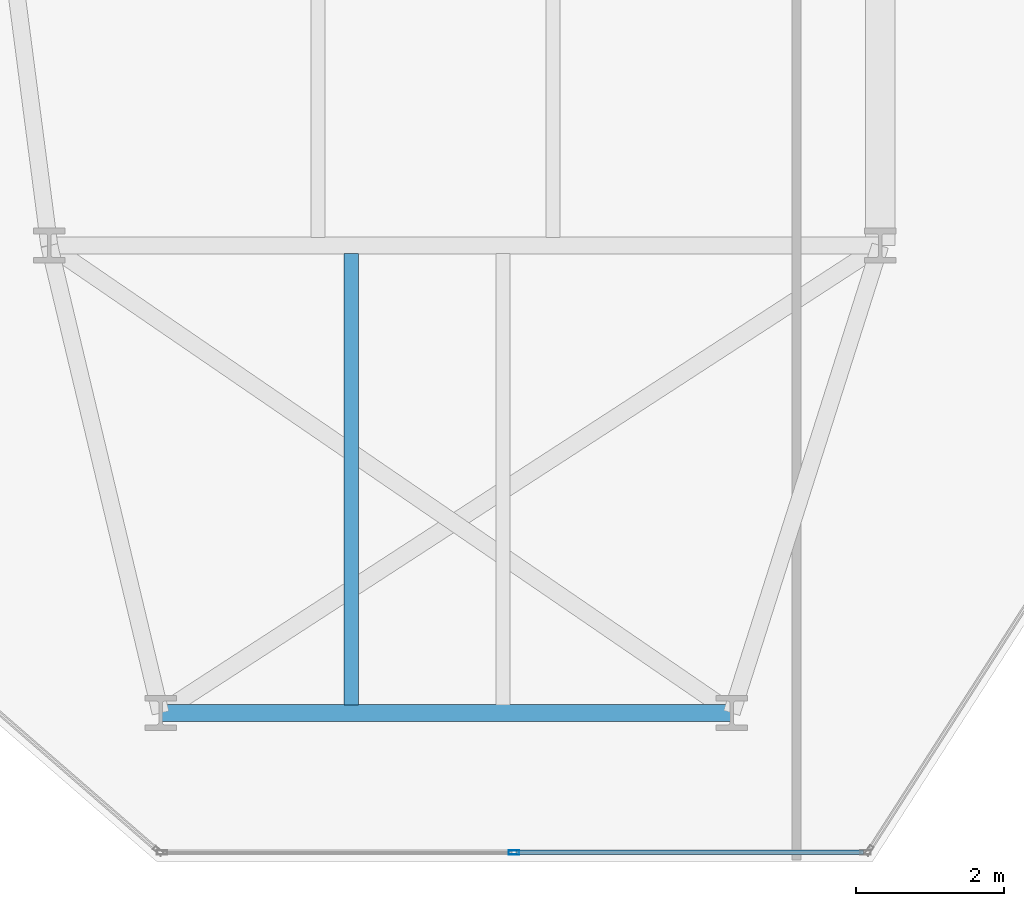
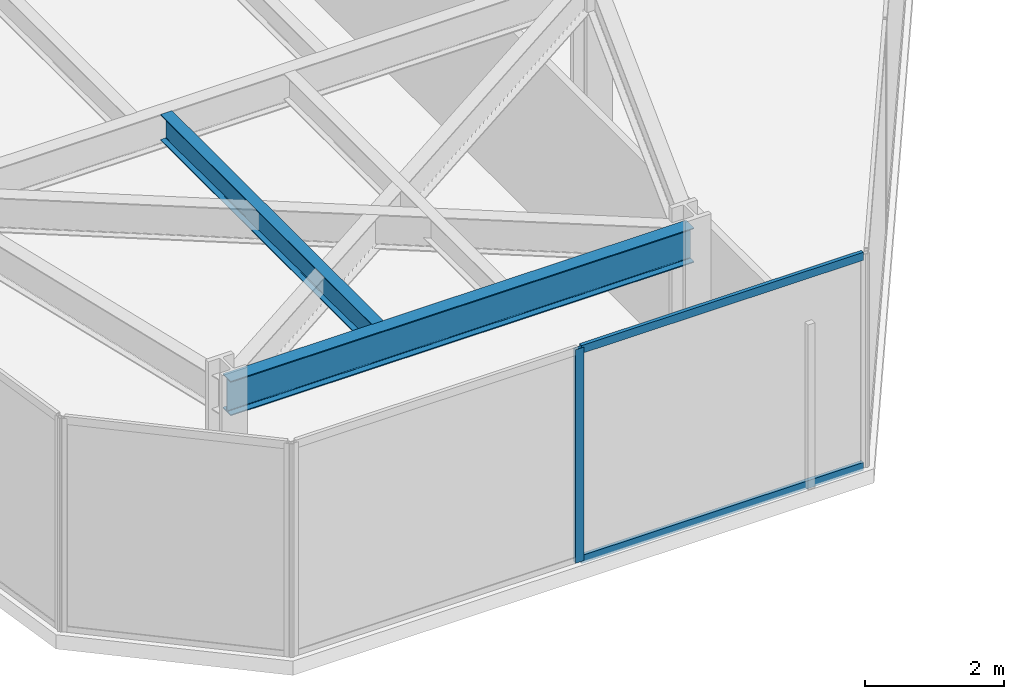
# One storey, part 3 of 26: 3 members, 2 beams, 1 element without a shape of its own.
"""IFC4 building model written with IfcOpenShell, lengths in metres."""

from ifc_helpers import new_model, si_unit, direction, frame, origin, origin_2d, place, context, subcontext, project, spatial, hollow_rectangle, i_section, extrude, material, layer, layer_set, material_profile, profile_set, type_object, element, aggregate, save


model = new_model("IFC4")

# Units and contexts
model_context = context("Model", 3, precision=1e-05, world=origin(), true_north=direction((0.0, 1.0)))
body_context = subcontext(model_context, "Body", "Model", "MODEL_VIEW")
ifc_project = project(units=[si_unit("LENGTHUNIT", "METRE"), si_unit("AREAUNIT", "SQUARE_METRE"), si_unit("VOLUMEUNIT", "CUBIC_METRE"), si_unit("PLANEANGLEUNIT", "RADIAN"), si_unit("MASSUNIT", "GRAM", prefix="KILO")], contexts=[model_context])

# Site, building, storey
site_placement = place(None, origin())
site = spatial("IfcSite", under=ifc_project, at=site_placement, CompositionType="ELEMENT")
building_placement = place(site_placement, origin())
building = spatial("IfcBuilding", under=site, at=building_placement, Name="Kravanh Interchange Tower", CompositionType="ELEMENT")
storey_placement = place(building_placement, frame((0.0, 0.0, 120.0)))
storey = spatial("IfcBuildingStorey", under=building, at=storey_placement, Name="L28", CompositionType="ELEMENT", Elevation=120.0)

# Curtain wall, members
ifc_material_1 = material(Name="Anodised Bronze Aluminium", Category="aluminium")
ifc_layer = layer(ifc_material_1, 0.179931640625)
ifc_layer_set = layer_set([ifc_layer], Name="Unitised Curtain Wall System CW-Z2 Mid Office")
curtain_wall_type = type_object("IfcCurtainWallType", Name="Unitised Curtain Wall System CW-Z2 Mid Office", PredefinedType="NOTDEFINED", material=ifc_layer_set)
curtain_wall_placement = place(storey_placement, origin())
curtain_wall = element("IfcCurtainWall", 1, at=curtain_wall_placement, inside=storey, type_object=curtain_wall_type, Name="L28 Unitised Curtain Wall CW-L28-06", PredefinedType="NOTDEFINED")
ifc_material_2 = material(Name="Anodised Bronze Aluminium", Category="aluminium")
ifc_material_profile_1 = material_profile(ifc_material_2, hollow_rectangle(XDim=0.06005859375, YDim=0.139892578125, WallThickness=0.00390625, at=origin_2d()), Name="ALU60X140X4")
ifc_profile_set_1 = profile_set([ifc_material_profile_1], Name="Anodised Bronze Aluminium")
member_type_1 = type_object("IfcMemberType", Name="Curtain Wall Mullion ALU60X140X4 Bronze", PredefinedType="MULLION", material=ifc_profile_set_1)
member_1_placement = place(storey_placement, frame((22.26220703125, 6.320068359375, 0.0), z_axis=(0.0, 0.0, 1.0), x_axis=(0.0, -1.0, 0.0)))
member_1 = element("IfcMember", 2, at=member_1_placement, type_object=member_type_1, Name="CW-Z2 mullion 2", PredefinedType="MULLION", context=body_context, shape_type="SweptSolid", body=[
    extrude(hollow_rectangle(XDim=0.06005859375, YDim=0.139892578125, WallThickness=0.00390625, at=origin_2d()), origin(), (0.0, 0.0, 1.0), 3.75),
])
ifc_material_3 = material(Name="Anodised Bronze Aluminium", Category="aluminium")
ifc_material_profile_2 = material_profile(ifc_material_3, hollow_rectangle(XDim=0.06005859375, YDim=0.139892578125, WallThickness=0.00390625, at=origin_2d()), Name="ALU60X140X4")
ifc_profile_set_2 = profile_set([ifc_material_profile_2], Name="Anodised Bronze Aluminium")
member_type_2 = type_object("IfcMemberType", Name="Curtain Wall Transom ALU60X140X4 Bronze", PredefinedType="USERDEFINED", material=ifc_profile_set_2)
member_2_placement = place(storey_placement, frame((26.974365234375, 6.320068359375, 0.030029296875), z_axis=(-1.0, 0.0, 0.0), x_axis=(0.0, -1.0, 0.0)))
member_2 = element("IfcMember", 3, at=member_2_placement, type_object=member_type_2, Name="CW-Z2 transom 1.1", ObjectType="TRANSOM", PredefinedType="USERDEFINED", context=body_context, shape_type="SweptSolid", body=[
    extrude(hollow_rectangle(XDim=0.06005859375, YDim=0.139892578125, WallThickness=0.00390625, at=origin_2d()), origin(), (0.0, 0.0, 1.0), 4.682373046875),
])
member_3_placement = place(storey_placement, frame((26.974365234375, 6.320068359375, 3.719970703125), z_axis=(-1.0, 0.0, 0.0), x_axis=(0.0, -1.0, 0.0)))
member_3 = element("IfcMember", 4, at=member_3_placement, type_object=member_type_2, Name="CW-Z2 transom 1.2", ObjectType="TRANSOM", PredefinedType="USERDEFINED", context=body_context, shape_type="SweptSolid", body=[
    extrude(hollow_rectangle(XDim=0.06005859375, YDim=0.139892578125, WallThickness=0.00390625, at=origin_2d()), origin(), (0.0, 0.0, 1.0), 4.682373046875),
])
aggregate(curtain_wall, [member_1, member_2, member_3])

# Beams
ifc_material_4 = material(Name="Structural Steel S355", Category="steel")
ifc_material_profile_3 = material_profile(ifc_material_4, i_section(OverallWidth=0.18994140625, OverallDepth=0.45703125, WebThickness=0.009033203125, FlangeThickness=0.014404296875, FilletRadius=0.01806640625, at=origin_2d()), Name="W18X50")
ifc_profile_set_3 = profile_set([ifc_material_profile_3], Name="Structural Steel S355")
beam_type_1 = type_object("IfcBeamType", Name="Floor Joist W18X50 Structural Steel S355", PredefinedType="JOIST", material=ifc_profile_set_3)
beam_1_placement = place(storey_placement, frame((20.070068359375, 8.30908203125, 3.521484375), z_axis=(0.0, 1.0, 0.0), x_axis=(-1.0, 0.0, 0.0)))
element("IfcBeam", 5, at=beam_1_placement, inside=storey, type_object=beam_type_1, Name="L28 Secondary Floor Joist 1", PredefinedType="JOIST", context=body_context, shape_type="SweptSolid", body=[
    extrude(i_section(OverallWidth=0.18994140625, OverallDepth=0.45703125, WebThickness=0.009033203125, FlangeThickness=0.014404296875, FilletRadius=0.01806640625, at=origin_2d()), origin(), (0.0, 0.0, 1.0), 6.08203125),
])
ifc_material_5 = material(Name="Structural Steel S355", Category="steel")
ifc_material_profile_4 = material_profile(ifc_material_5, i_section(OverallWidth=0.22802734375, OverallDepth=0.60791015625, WebThickness=0.01123046875, FlangeThickness=0.017333984375, FilletRadius=0.02197265625, at=origin_2d()), Name="W24X76")
ifc_profile_set_4 = profile_set([ifc_material_profile_4], Name="Structural Steel S355")
beam_type_2 = type_object("IfcBeamType", Name="Floor Spandrel W24X76 Structural Steel S355", PredefinedType="SPANDREL", material=ifc_profile_set_4)
beam_2_placement = place(storey_placement, frame((17.5, 8.199951171875, 3.446044921875), z_axis=(1.0, 0.0, 0.0), x_axis=(0.0, 1.0, 0.0)))
element("IfcBeam", 6, at=beam_2_placement, inside=storey, type_object=beam_type_2, Name="L28 Perimeter Spandrel 35", PredefinedType="SPANDREL", context=body_context, shape_type="SweptSolid", body=[
    extrude(i_section(OverallWidth=0.22802734375, OverallDepth=0.60791015625, WebThickness=0.01123046875, FlangeThickness=0.017333984375, FilletRadius=0.02197265625, at=origin_2d()), origin(), (0.0, 0.0, 1.0), 7.699951171875),
])

save(model, "model.ifc")
